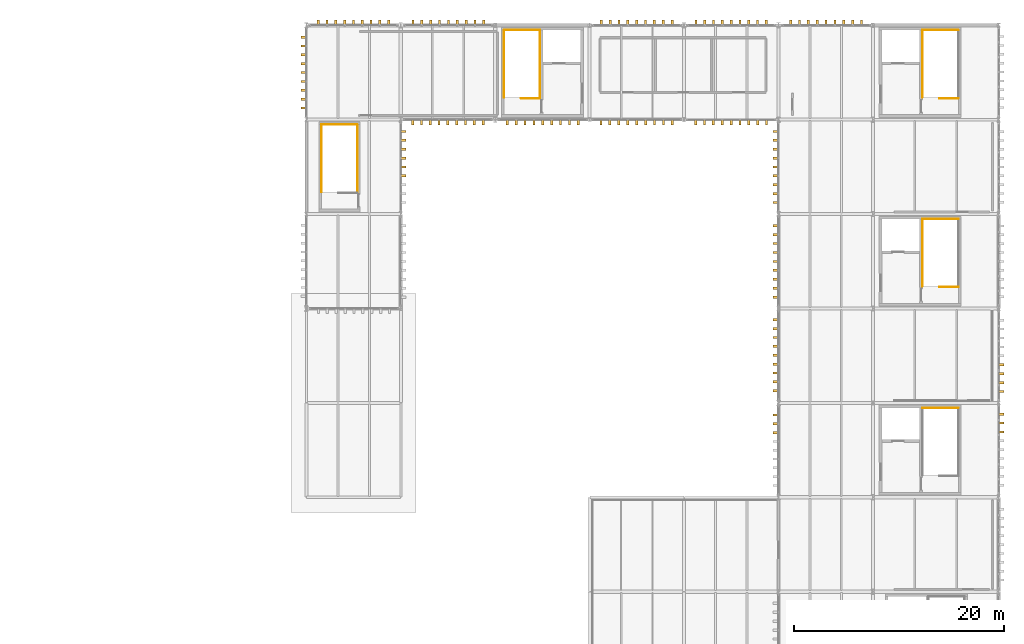
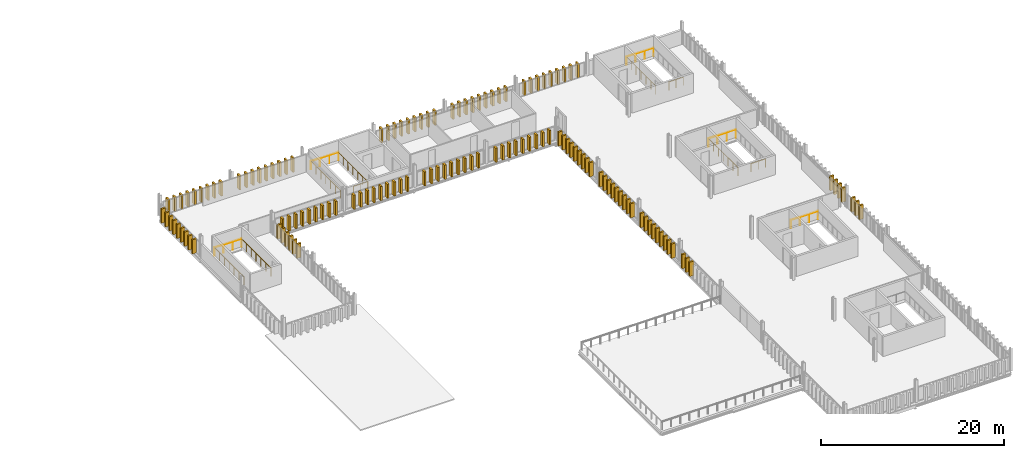
# One storey, part 57 of 58: 133 shading devices, 14 railings.
"""IFC4 building model written with IfcOpenShell, lengths in metres."""

import ifcopenshell
import ifcopenshell.guid

model = None  # the IFC model being written
_history = None  # IfcOwnerHistory: only IFC2X3 demands one
_inside = {}  # id of a spatial element -> (the spatial element, [elements in it])
_under = {}  # id of a project, library or spatial element -> (it, [spatial elements below it])
_declared = {}  # id of a project -> (the project, [libraries it declares])
_typed = {}  # id of a type object -> (the type object, [elements of that type])
_made_of = {}  # id of a material, layer set ... -> (it, [elements and type objects made of it])


def new_model(schema):
    """Start an empty IFC model of exactly this schema.

    Asked for "IFC4X3", IfcOpenShell would pick the latest addendum, in which some entities
    have other attributes; the version numbers below select the first issue.
    IFC2X3 requires an IfcOwnerHistory on every rooted entity: one is made here for all.
    """
    global model, _history
    if schema == "IFC4X3":
        model = ifcopenshell.file(schema_version=(4, 3, 0, 0))
    else:
        model = ifcopenshell.file(schema=schema)
    _inside.clear()
    _under.clear()
    _declared.clear()
    _typed.clear()
    _made_of.clear()
    _history = None
    if model.schema == "IFC2X3":
        org = make("IfcOrganization", Name="unknown")
        user = make(
            "IfcPersonAndOrganization",
            ThePerson=make("IfcPerson", FamilyName="unknown"),
            TheOrganization=org,
        )
        app = make(
            "IfcApplication",
            ApplicationDeveloper=org,
            Version="unknown",
            ApplicationFullName="unknown",
            ApplicationIdentifier="unknown",
        )
        _history = make(
            "IfcOwnerHistory",
            OwningUser=user,
            OwningApplication=app,
            ChangeAction="ADDED",
            CreationDate=0,
        )
    return model


def make(cls, **values):
    """One entity of the class cls with the attributes given. An attribute that is None is left unset."""
    return model.create_entity(
        cls, **{name: value for name, value in values.items() if value is not None}
    )


def rooted(cls, **values):
    """An entity with a GlobalId (a new one), such as an element, a storey or a relation."""
    return make(cls, GlobalId=ifcopenshell.guid.new(), OwnerHistory=_history, **values)


def si_unit(unit_type, name, prefix=None):
    """IfcSIUnit, for example si_unit("LENGTHUNIT", "METRE", prefix="MILLI")."""
    return make("IfcSIUnit", UnitType=unit_type, Prefix=prefix, Name=name)


def assignment(units):
    """IfcUnitAssignment: the units of a project."""
    return None if units is None else make("IfcUnitAssignment", Units=units)


def point(xyz):
    """IfcCartesianPoint."""
    return None if xyz is None else make("IfcCartesianPoint", Coordinates=xyz)


def direction(xyz):
    """IfcDirection."""
    return None if xyz is None else make("IfcDirection", DirectionRatios=xyz)


def frame(location, z_axis=None, x_axis=None):
    """IfcAxis2Placement3D, a coordinate frame: its origin and axes. An axis left out is left unset."""
    return make(
        "IfcAxis2Placement3D",
        Location=point(location),
        Axis=direction(z_axis),
        RefDirection=direction(x_axis),
    )


def frame_2d(location, x_axis=None):
    """IfcAxis2Placement2D, a coordinate frame in the plane: its origin and x axis."""
    return make(
        "IfcAxis2Placement2D", Location=point(location), RefDirection=direction(x_axis)
    )


def origin():
    """The frame at (0, 0, 0) with its axes left unset."""
    return frame((0.0, 0.0, 0.0))


def origin_2d():
    """The frame at (0, 0) in the plane with its x axis left unset."""
    return frame_2d((0.0, 0.0))


def place(relative_to, where):
    """IfcLocalPlacement: puts the frame where relative to a parent placement (None: the world)."""
    return make(
        "IfcLocalPlacement", PlacementRelTo=relative_to, RelativePlacement=where
    )


def context(
    kind, dimensions, precision=None, world=None, true_north=None, identifier=None
):
    """IfcGeometricRepresentationContext, for example the 3D "Model" context."""
    return make(
        "IfcGeometricRepresentationContext",
        ContextIdentifier=identifier,
        ContextType=kind,
        CoordinateSpaceDimension=dimensions,
        Precision=precision,
        WorldCoordinateSystem=world,
        TrueNorth=true_north,
    )


def subcontext(parent, identifier, kind, view, scale=None):
    """IfcGeometricRepresentationSubContext, for example "Body" below "Model"."""
    return make(
        "IfcGeometricRepresentationSubContext",
        ContextIdentifier=identifier,
        ContextType=kind,
        ParentContext=parent,
        TargetScale=scale,
        TargetView=view,
    )


def project(units=None, contexts=None):
    """IfcProject with its units and contexts."""
    return rooted(
        "IfcProject",
        Name="project",
        RepresentationContexts=contexts,
        UnitsInContext=assignment(units),
    )


def spatial(cls, under=None, at=None, **own):
    """A site, building, storey or space (cls), placed at a placement, below another one or the project."""
    s = rooted(cls, ObjectPlacement=at, **own)
    if under is not None:
        _under.setdefault(under.id(), (under, []))[1].append(s)
    return s


def profile(cls, at=None, kind="AREA", **sizes):
    """A parametric profile (cls). Its sizes go by their IFC names, for example OverallWidth=200.0."""
    return make(cls, ProfileType=kind, Position=at, **sizes)


def rectangle(**sizes):
    """IfcRectangleProfileDef."""
    return profile("IfcRectangleProfileDef", **sizes)


def circle(**sizes):
    """IfcCircleProfileDef."""
    return profile("IfcCircleProfileDef", **sizes)


def extrude(swept, where, along, depth):
    """IfcExtrudedAreaSolid: the profile swept, set in the frame where, extruded along a direction by depth."""
    return make(
        "IfcExtrudedAreaSolid",
        SweptArea=swept,
        Position=where,
        ExtrudedDirection=direction(along),
        Depth=depth,
    )


def shape(context_of_items, identifier, shape_type, items):
    """IfcShapeRepresentation: the items that make up one representation, for example the "Body"."""
    return make(
        "IfcShapeRepresentation",
        ContextOfItems=context_of_items,
        RepresentationIdentifier=identifier,
        RepresentationType=shape_type,
        Items=items,
    )


def material(Name=None, Category=None):
    """IfcMaterial."""
    return make("IfcMaterial", Name=Name, Category=Category)


def made_of(thing, what):
    """Note that an element or type object is made of a material, layer set ...; save() writes the relation."""
    if what is not None:
        _made_of.setdefault(what.id(), (what, []))[1].append(thing)
    return thing


def type_object(cls, material=None, **own):
    """A type object (cls), such as IfcWallType, which elements share."""
    return made_of(rooted(cls, **own), material)


def element(
    cls,
    number,
    at=None,
    inside=None,
    cuts=None,
    type_object=None,
    material=None,
    context=None,
    identifier="Body",
    shape_type=None,
    held_by="IfcProductDefinitionShape",
    body=None,
    shapes=None,
    **own,
):
    """One element of the class cls, such as IfcWall. Its Tag is "e" and its number.

    at: its placement. inside: the storey or other place that contains it. cuts: it is an
    opening in that element (IfcRelVoidsElement). A single representation is given by context,
    identifier, shape_type and body (its items); several are given by shapes. held_by: the class
    of the entity that holds the representations. save() writes the other relations.
    """
    e = rooted(cls, Tag="e%d" % number, ObjectPlacement=at, **own)
    if body is not None:
        shapes = [shape(context, identifier, shape_type, body)]
    if shapes is not None:
        e.Representation = make(held_by, Representations=shapes)
    if inside is not None:
        _inside.setdefault(inside.id(), (inside, []))[1].append(e)
    if cuts is not None:
        rooted(
            "IfcRelVoidsElement", RelatingBuildingElement=cuts, RelatedOpeningElement=e
        )
    if type_object is not None:
        _typed.setdefault(type_object.id(), (type_object, []))[1].append(e)
    return made_of(e, material)


def aggregate(whole, parts):
    """IfcRelAggregates: a whole, such as a stair, and the parts it consists of."""
    return rooted("IfcRelAggregates", RelatingObject=whole, RelatedObjects=parts)


def save(model, path):
    """Write the relations noted so far, then the file.

    IfcRelAggregates (storeys below a building ...), IfcRelContainedInSpatialStructure (elements
    in a storey), IfcRelDefinesByType, IfcRelAssociatesMaterial and IfcRelDeclares: one each for
    every whole, place, type object, material and project.
    """
    for whole, parts in _under.values():
        aggregate(whole, parts)
    for where, things in _inside.values():
        rooted(
            "IfcRelContainedInSpatialStructure",
            RelatedElements=things,
            RelatingStructure=where,
        )
    for kind, things in _typed.values():
        rooted("IfcRelDefinesByType", RelatedObjects=things, RelatingType=kind)
    for what, things in _made_of.values():
        rooted("IfcRelAssociatesMaterial", RelatedObjects=things, RelatingMaterial=what)
    for by, libraries in _declared.values():
        rooted("IfcRelDeclares", RelatingContext=by, RelatedDefinitions=libraries)
    model.write(path)


model = new_model("IFC4")

# Units and contexts
model_context = context("Model", 3, precision=1e-05, world=origin(), true_north=direction((0.0, 1.0)))
body_context = subcontext(model_context, "Body", "Model", "MODEL_VIEW")
ifc_project = project(units=[si_unit("LENGTHUNIT", "METRE"), si_unit("AREAUNIT", "SQUARE_METRE"), si_unit("VOLUMEUNIT", "CUBIC_METRE"), si_unit("PLANEANGLEUNIT", "RADIAN"), si_unit("MASSUNIT", "GRAM", prefix="KILO")], contexts=[model_context])

# Site, building, storey
site_placement = place(None, origin())
site = spatial("IfcSite", under=ifc_project, at=site_placement, CompositionType="ELEMENT")
building_placement = place(site_placement, origin())
building = spatial("IfcBuilding", under=site, at=building_placement, Name="Barlavento Convention Centre", CompositionType="ELEMENT")
storey_placement = place(building_placement, frame((0.0, 0.0, 26.800048828125)))
storey = spatial("IfcBuildingStorey", under=building, at=storey_placement, Name="L05", CompositionType="ELEMENT", Elevation=26.800048828125)

# Railings
ifc_material_1 = material(Name="Stainless steel and laminated glass balustrade", Category="steel")
railing_type = type_object("IfcRailingType", Name="ARC-RAL-BAL-1100", PredefinedType="BALUSTRADE", material=ifc_material_1)
railing_1_placement = place(storey_placement, frame((188.14990234375, 62.530029296875, 0.0)))
element("IfcRailing", 1, at=railing_1_placement, inside=storey, type_object=railing_type, Name="L05 stairwell perimeter guard GR01", PredefinedType="BALUSTRADE", context=body_context, shape_type="SweptSolid", body=[
    extrude(circle(Radius=0.02392578125, at=origin_2d()), frame((0.0, 0.0, 1.076171875), z_axis=(-1.0, 0.0, 0.0), x_axis=(0.0, -1.0, 0.0)), (0.0, 0.0, 1.0), 3.43994140625),
    extrude(circle(Radius=0.02099609375, at=origin_2d()), origin(), (0.0, 0.0, 1.0), 1.052001953125),
    extrude(circle(Radius=0.02099609375, at=origin_2d()), frame((-1.146728515625, 0.0, 0.0)), (0.0, 0.0, 1.0), 1.052001953125),
    extrude(circle(Radius=0.02099609375, at=origin_2d()), frame((-2.293212890625, 0.0, 0.0)), (0.0, 0.0, 1.0), 1.052001953125),
    extrude(circle(Radius=0.02099609375, at=origin_2d()), frame((-3.43994140625, 0.0, 0.0)), (0.0, 0.0, 1.0), 1.052001953125),
])
railing_2_placement = place(storey_placement, frame((188.14990234375, 74.0400390625, 0.0)))
element("IfcRailing", 2, at=railing_2_placement, inside=storey, type_object=railing_type, Name="L05 ST07 top well guard 1", PredefinedType="BALUSTRADE", context=body_context, shape_type="SweptSolid", body=[
    extrude(circle(Radius=0.02392578125, at=origin_2d()), frame((0.0, 0.0, 1.076171875), z_axis=(-1.0, 0.0, 0.0), x_axis=(0.0, -1.0, 0.0)), (0.0, 0.0, 1.0), 1.81982421875),
    extrude(circle(Radius=0.02099609375, at=origin_2d()), origin(), (0.0, 0.0, 1.0), 1.052001953125),
    extrude(circle(Radius=0.02099609375, at=origin_2d()), frame((-0.909912109375, 0.0, 0.0)), (0.0, 0.0, 1.0), 1.052001953125),
    extrude(circle(Radius=0.02099609375, at=origin_2d()), frame((-1.81982421875, 0.0, 0.0)), (0.0, 0.0, 1.0), 1.052001953125),
])
railing_3_placement = place(storey_placement, frame((188.14990234375, 80.530029296875, 0.0)))
element("IfcRailing", 3, at=railing_3_placement, inside=storey, type_object=railing_type, Name="L05 stairwell perimeter guard GR01", PredefinedType="BALUSTRADE", context=body_context, shape_type="SweptSolid", body=[
    extrude(circle(Radius=0.02392578125, at=origin_2d()), frame((0.0, 0.0, 1.076171875), z_axis=(-1.0, 0.0, 0.0), x_axis=(0.0, -1.0, 0.0)), (0.0, 0.0, 1.0), 3.43994140625),
    extrude(circle(Radius=0.02099609375, at=origin_2d()), origin(), (0.0, 0.0, 1.0), 1.052001953125),
    extrude(circle(Radius=0.02099609375, at=origin_2d()), frame((-1.146728515625, 0.0, 0.0)), (0.0, 0.0, 1.0), 1.052001953125),
    extrude(circle(Radius=0.02099609375, at=origin_2d()), frame((-2.293212890625, 0.0, 0.0)), (0.0, 0.0, 1.0), 1.052001953125),
    extrude(circle(Radius=0.02099609375, at=origin_2d()), frame((-3.43994140625, 0.0, 0.0)), (0.0, 0.0, 1.0), 1.052001953125),
])
railing_4_placement = place(storey_placement, frame((184.7099609375, 80.530029296875, 0.0)))
element("IfcRailing", 4, at=railing_4_placement, inside=storey, type_object=railing_type, Name="L05 stairwell perimeter guard GR01", PredefinedType="BALUSTRADE", context=body_context, shape_type="SweptSolid", body=[
    extrude(circle(Radius=0.02392578125, at=origin_2d()), frame((0.0, 0.0, 1.076171875), z_axis=(0.0, -1.0, 0.0), x_axis=(1.0, 0.0, 0.0)), (0.0, 0.0, 1.0), 6.4150390625),
    extrude(circle(Radius=0.02099609375, at=origin_2d()), origin(), (0.0, 0.0, 1.0), 1.052001953125),
    extrude(circle(Radius=0.02099609375, at=origin_2d()), frame((0.0, -1.069091796875, 0.0)), (0.0, 0.0, 1.0), 1.052001953125),
    extrude(circle(Radius=0.02099609375, at=origin_2d()), frame((0.0, -2.138427734375, 0.0)), (0.0, 0.0, 1.0), 1.052001953125),
    extrude(circle(Radius=0.02099609375, at=origin_2d()), frame((0.0, -3.20751953125, 0.0)), (0.0, 0.0, 1.0), 1.052001953125),
    extrude(circle(Radius=0.02099609375, at=origin_2d()), frame((0.0, -4.276611328125, 0.0)), (0.0, 0.0, 1.0), 1.052001953125),
    extrude(circle(Radius=0.02099609375, at=origin_2d()), frame((0.0, -5.345947265625, 0.0)), (0.0, 0.0, 1.0), 1.052001953125),
    extrude(circle(Radius=0.02099609375, at=origin_2d()), frame((0.0, -6.4150390625, 0.0)), (0.0, 0.0, 1.0), 1.052001953125),
])
railing_5_placement = place(storey_placement, frame((188.14990234375, 92.0400390625, 0.0)))
element("IfcRailing", 5, at=railing_5_placement, inside=storey, type_object=railing_type, Name="L05 ST08 top well guard 1", PredefinedType="BALUSTRADE", context=body_context, shape_type="SweptSolid", body=[
    extrude(circle(Radius=0.02392578125, at=origin_2d()), frame((0.0, 0.0, 1.076171875), z_axis=(-1.0, 0.0, 0.0), x_axis=(0.0, -1.0, 0.0)), (0.0, 0.0, 1.0), 1.81982421875),
    extrude(circle(Radius=0.02099609375, at=origin_2d()), origin(), (0.0, 0.0, 1.0), 1.052001953125),
    extrude(circle(Radius=0.02099609375, at=origin_2d()), frame((-0.909912109375, 0.0, 0.0)), (0.0, 0.0, 1.0), 1.052001953125),
    extrude(circle(Radius=0.02099609375, at=origin_2d()), frame((-1.81982421875, 0.0, 0.0)), (0.0, 0.0, 1.0), 1.052001953125),
])
railing_6_placement = place(storey_placement, frame((188.14990234375, 98.530029296875, 0.0)))
element("IfcRailing", 6, at=railing_6_placement, inside=storey, type_object=railing_type, Name="L05 stairwell perimeter guard GR01", PredefinedType="BALUSTRADE", context=body_context, shape_type="SweptSolid", body=[
    extrude(circle(Radius=0.02392578125, at=origin_2d()), frame((0.0, 0.0, 1.076171875), z_axis=(-1.0, 0.0, 0.0), x_axis=(0.0, -1.0, 0.0)), (0.0, 0.0, 1.0), 3.43994140625),
    extrude(circle(Radius=0.02099609375, at=origin_2d()), origin(), (0.0, 0.0, 1.0), 1.052001953125),
    extrude(circle(Radius=0.02099609375, at=origin_2d()), frame((-1.146728515625, 0.0, 0.0)), (0.0, 0.0, 1.0), 1.052001953125),
    extrude(circle(Radius=0.02099609375, at=origin_2d()), frame((-2.293212890625, 0.0, 0.0)), (0.0, 0.0, 1.0), 1.052001953125),
    extrude(circle(Radius=0.02099609375, at=origin_2d()), frame((-3.43994140625, 0.0, 0.0)), (0.0, 0.0, 1.0), 1.052001953125),
])
railing_7_placement = place(storey_placement, frame((184.7099609375, 98.530029296875, 0.0)))
element("IfcRailing", 7, at=railing_7_placement, inside=storey, type_object=railing_type, Name="L05 stairwell perimeter guard GR01", PredefinedType="BALUSTRADE", context=body_context, shape_type="SweptSolid", body=[
    extrude(circle(Radius=0.02392578125, at=origin_2d()), frame((0.0, 0.0, 1.076171875), z_axis=(0.0, -1.0, 0.0), x_axis=(1.0, 0.0, 0.0)), (0.0, 0.0, 1.0), 6.4150390625),
    extrude(circle(Radius=0.02099609375, at=origin_2d()), origin(), (0.0, 0.0, 1.0), 1.052001953125),
    extrude(circle(Radius=0.02099609375, at=origin_2d()), frame((0.0, -1.069091796875, 0.0)), (0.0, 0.0, 1.0), 1.052001953125),
    extrude(circle(Radius=0.02099609375, at=origin_2d()), frame((0.0, -2.138427734375, 0.0)), (0.0, 0.0, 1.0), 1.052001953125),
    extrude(circle(Radius=0.02099609375, at=origin_2d()), frame((0.0, -3.20751953125, 0.0)), (0.0, 0.0, 1.0), 1.052001953125),
    extrude(circle(Radius=0.02099609375, at=origin_2d()), frame((0.0, -4.276611328125, 0.0)), (0.0, 0.0, 1.0), 1.052001953125),
    extrude(circle(Radius=0.02099609375, at=origin_2d()), frame((0.0, -5.345947265625, 0.0)), (0.0, 0.0, 1.0), 1.052001953125),
    extrude(circle(Radius=0.02099609375, at=origin_2d()), frame((0.0, -6.4150390625, 0.0)), (0.0, 0.0, 1.0), 1.052001953125),
])
railing_8_placement = place(storey_placement, frame((148.2900390625, 92.0400390625, 0.0)))
element("IfcRailing", 8, at=railing_8_placement, inside=storey, type_object=railing_type, Name="L05 ST09 top well guard 1", PredefinedType="BALUSTRADE", context=body_context, shape_type="SweptSolid", body=[
    extrude(circle(Radius=0.02392578125, at=origin_2d()), frame((0.0, 0.0, 1.076171875), z_axis=(-1.0, 0.0, 0.0), x_axis=(0.0, -1.0, 0.0)), (0.0, 0.0, 1.0), 1.820068359375),
    extrude(circle(Radius=0.02099609375, at=origin_2d()), origin(), (0.0, 0.0, 1.0), 1.052001953125),
    extrude(circle(Radius=0.02099609375, at=origin_2d()), frame((-0.91015625, 0.0, 0.0)), (0.0, 0.0, 1.0), 1.052001953125),
    extrude(circle(Radius=0.02099609375, at=origin_2d()), frame((-1.820068359375, 0.0, 0.0)), (0.0, 0.0, 1.0), 1.052001953125),
])
railing_9_placement = place(storey_placement, frame((148.2900390625, 92.114990234375, 0.0)))
element("IfcRailing", 9, at=railing_9_placement, inside=storey, type_object=railing_type, Name="L05 stairwell perimeter guard GR01", PredefinedType="BALUSTRADE", context=body_context, shape_type="SweptSolid", body=[
    extrude(circle(Radius=0.02392578125, at=origin_2d()), frame((0.0, 0.0, 1.076171875), z_axis=(0.0, 1.0, 0.0), x_axis=(-1.0, 0.0, 0.0)), (0.0, 0.0, 1.0), 6.4150390625),
    extrude(circle(Radius=0.02099609375, at=origin_2d()), origin(), (0.0, 0.0, 1.0), 1.052001953125),
    extrude(circle(Radius=0.02099609375, at=origin_2d()), frame((0.0, 1.069091796875, 0.0)), (0.0, 0.0, 1.0), 1.052001953125),
    extrude(circle(Radius=0.02099609375, at=origin_2d()), frame((0.0, 2.138427734375, 0.0)), (0.0, 0.0, 1.0), 1.052001953125),
    extrude(circle(Radius=0.02099609375, at=origin_2d()), frame((0.0, 3.20751953125, 0.0)), (0.0, 0.0, 1.0), 1.052001953125),
    extrude(circle(Radius=0.02099609375, at=origin_2d()), frame((0.0, 4.276611328125, 0.0)), (0.0, 0.0, 1.0), 1.052001953125),
    extrude(circle(Radius=0.02099609375, at=origin_2d()), frame((0.0, 5.345947265625, 0.0)), (0.0, 0.0, 1.0), 1.052001953125),
    extrude(circle(Radius=0.02099609375, at=origin_2d()), frame((0.0, 6.4150390625, 0.0)), (0.0, 0.0, 1.0), 1.052001953125),
])
railing_10_placement = place(storey_placement, frame((148.2900390625, 98.530029296875, 0.0)))
element("IfcRailing", 10, at=railing_10_placement, inside=storey, type_object=railing_type, Name="L05 stairwell perimeter guard GR01", PredefinedType="BALUSTRADE", context=body_context, shape_type="SweptSolid", body=[
    extrude(circle(Radius=0.02392578125, at=origin_2d()), frame((0.0, 0.0, 1.076171875), z_axis=(-1.0, 0.0, 0.0), x_axis=(0.0, -1.0, 0.0)), (0.0, 0.0, 1.0), 3.43994140625),
    extrude(circle(Radius=0.02099609375, at=origin_2d()), origin(), (0.0, 0.0, 1.0), 1.052001953125),
    extrude(circle(Radius=0.02099609375, at=origin_2d()), frame((-1.146728515625, 0.0, 0.0)), (0.0, 0.0, 1.0), 1.052001953125),
    extrude(circle(Radius=0.02099609375, at=origin_2d()), frame((-2.293212890625, 0.0, 0.0)), (0.0, 0.0, 1.0), 1.052001953125),
    extrude(circle(Radius=0.02099609375, at=origin_2d()), frame((-3.43994140625, 0.0, 0.0)), (0.0, 0.0, 1.0), 1.052001953125),
])
railing_11_placement = place(storey_placement, frame((144.85009765625, 98.530029296875, 0.0)))
element("IfcRailing", 11, at=railing_11_placement, inside=storey, type_object=railing_type, Name="L05 stairwell perimeter guard GR01", PredefinedType="BALUSTRADE", context=body_context, shape_type="SweptSolid", body=[
    extrude(circle(Radius=0.02392578125, at=origin_2d()), frame((0.0, 0.0, 1.076171875), z_axis=(0.0, -1.0, 0.0), x_axis=(1.0, 0.0, 0.0)), (0.0, 0.0, 1.0), 6.4150390625),
    extrude(circle(Radius=0.02099609375, at=origin_2d()), origin(), (0.0, 0.0, 1.0), 1.052001953125),
    extrude(circle(Radius=0.02099609375, at=origin_2d()), frame((0.0, -1.069091796875, 0.0)), (0.0, 0.0, 1.0), 1.052001953125),
    extrude(circle(Radius=0.02099609375, at=origin_2d()), frame((0.0, -2.138427734375, 0.0)), (0.0, 0.0, 1.0), 1.052001953125),
    extrude(circle(Radius=0.02099609375, at=origin_2d()), frame((0.0, -3.20751953125, 0.0)), (0.0, 0.0, 1.0), 1.052001953125),
    extrude(circle(Radius=0.02099609375, at=origin_2d()), frame((0.0, -4.276611328125, 0.0)), (0.0, 0.0, 1.0), 1.052001953125),
    extrude(circle(Radius=0.02099609375, at=origin_2d()), frame((0.0, -5.345947265625, 0.0)), (0.0, 0.0, 1.0), 1.052001953125),
    extrude(circle(Radius=0.02099609375, at=origin_2d()), frame((0.0, -6.4150390625, 0.0)), (0.0, 0.0, 1.0), 1.052001953125),
])
railing_12_placement = place(storey_placement, frame((130.85009765625, 83.094970703125, 0.0)))
element("IfcRailing", 12, at=railing_12_placement, inside=storey, type_object=railing_type, Name="L05 stairwell perimeter guard GR01", PredefinedType="BALUSTRADE", context=body_context, shape_type="SweptSolid", body=[
    extrude(circle(Radius=0.02392578125, at=origin_2d()), frame((0.0, 0.0, 1.076171875), z_axis=(0.0, 1.0, 0.0), x_axis=(-1.0, 0.0, 0.0)), (0.0, 0.0, 1.0), 6.43505859375),
    extrude(circle(Radius=0.02099609375, at=origin_2d()), origin(), (0.0, 0.0, 1.0), 1.052001953125),
    extrude(circle(Radius=0.02099609375, at=origin_2d()), frame((0.0, 1.072509765625, 0.0)), (0.0, 0.0, 1.0), 1.052001953125),
    extrude(circle(Radius=0.02099609375, at=origin_2d()), frame((0.0, 2.14501953125, 0.0)), (0.0, 0.0, 1.0), 1.052001953125),
    extrude(circle(Radius=0.02099609375, at=origin_2d()), frame((0.0, 3.217529296875, 0.0)), (0.0, 0.0, 1.0), 1.052001953125),
    extrude(circle(Radius=0.02099609375, at=origin_2d()), frame((0.0, 4.2900390625, 0.0)), (0.0, 0.0, 1.0), 1.052001953125),
    extrude(circle(Radius=0.02099609375, at=origin_2d()), frame((0.0, 5.362548828125, 0.0)), (0.0, 0.0, 1.0), 1.052001953125),
    extrude(circle(Radius=0.02099609375, at=origin_2d()), frame((0.0, 6.43505859375, 0.0)), (0.0, 0.0, 1.0), 1.052001953125),
])
railing_13_placement = place(storey_placement, frame((130.85009765625, 89.530029296875, 0.0)))
element("IfcRailing", 13, at=railing_13_placement, inside=storey, type_object=railing_type, Name="L05 stairwell perimeter guard GR01", PredefinedType="BALUSTRADE", context=body_context, shape_type="SweptSolid", body=[
    extrude(circle(Radius=0.02392578125, at=origin_2d()), frame((0.0, 0.0, 1.076171875), z_axis=(-1.0, 0.0, 0.0), x_axis=(0.0, -1.0, 0.0)), (0.0, 0.0, 1.0), 3.400146484375),
    extrude(circle(Radius=0.02099609375, at=origin_2d()), origin(), (0.0, 0.0, 1.0), 1.052001953125),
    extrude(circle(Radius=0.02099609375, at=origin_2d()), frame((-1.13330078125, 0.0, 0.0)), (0.0, 0.0, 1.0), 1.052001953125),
    extrude(circle(Radius=0.02099609375, at=origin_2d()), frame((-2.266845703125, 0.0, 0.0)), (0.0, 0.0, 1.0), 1.052001953125),
    extrude(circle(Radius=0.02099609375, at=origin_2d()), frame((-3.400146484375, 0.0, 0.0)), (0.0, 0.0, 1.0), 1.052001953125),
])
railing_14_placement = place(storey_placement, frame((127.449951171875, 89.530029296875, 0.0)))
element("IfcRailing", 14, at=railing_14_placement, inside=storey, type_object=railing_type, Name="L05 stairwell perimeter guard GR01", PredefinedType="BALUSTRADE", context=body_context, shape_type="SweptSolid", body=[
    extrude(circle(Radius=0.02392578125, at=origin_2d()), frame((0.0, 0.0, 1.076171875), z_axis=(0.0, -1.0, 0.0), x_axis=(1.0, 0.0, 0.0)), (0.0, 0.0, 1.0), 6.43505859375),
    extrude(circle(Radius=0.02099609375, at=origin_2d()), origin(), (0.0, 0.0, 1.0), 1.052001953125),
    extrude(circle(Radius=0.02099609375, at=origin_2d()), frame((0.0, -1.072509765625, 0.0)), (0.0, 0.0, 1.0), 1.052001953125),
    extrude(circle(Radius=0.02099609375, at=origin_2d()), frame((0.0, -2.14501953125, 0.0)), (0.0, 0.0, 1.0), 1.052001953125),
    extrude(circle(Radius=0.02099609375, at=origin_2d()), frame((0.0, -3.217529296875, 0.0)), (0.0, 0.0, 1.0), 1.052001953125),
    extrude(circle(Radius=0.02099609375, at=origin_2d()), frame((0.0, -4.2900390625, 0.0)), (0.0, 0.0, 1.0), 1.052001953125),
    extrude(circle(Radius=0.02099609375, at=origin_2d()), frame((0.0, -5.362548828125, 0.0)), (0.0, 0.0, 1.0), 1.052001953125),
    extrude(circle(Radius=0.02099609375, at=origin_2d()), frame((0.0, -6.43505859375, 0.0)), (0.0, 0.0, 1.0), 1.052001953125),
])

# Shading devices
ifc_material_2 = material(Name="PVDF white extruded aluminium", Category="aluminium")
shading_device_type = type_object("IfcShadingDeviceType", Name="ARC-SHD-FIN-480", PredefinedType="USERDEFINED", material=ifc_material_2)
for number, where, z_axis, x_axis, name in (
    (15, (192.239990234375, 60.23193359375, 0.0), (0.0, 0.0, 1.0), (0.0, 1.0, 0.0), "White vertical solar shading fin VF01"),
    (16, (192.239990234375, 61.077880859375, 0.0), (0.0, 0.0, 1.0), (0.0, 1.0, 0.0), "White vertical solar shading fin VF01"),
    (17, (192.239990234375, 61.924072265625, 0.0), (0.0, 0.0, 1.0), (0.0, 1.0, 0.0), "White vertical solar shading fin VF01"),
    (18, (192.239990234375, 64.0810546875, 0.0), (0.0, 0.0, 1.0), (0.0, 1.0, 0.0), "White vertical solar shading fin VF01"),
    (19, (192.239990234375, 64.931884765625, 0.0), (0.0, 0.0, 1.0), (0.0, 1.0, 0.0), "White vertical solar shading fin VF01"),
    (20, (192.239990234375, 65.782958984375, 0.0), (0.0, 0.0, 1.0), (0.0, 1.0, 0.0), "White vertical solar shading fin VF01"),
    (21, (192.239990234375, 66.634033203125, 0.0), (0.0, 0.0, 1.0), (0.0, 1.0, 0.0), "White vertical solar shading fin VF01"),
    (22, (170.760009765625, 60.16845703125, 0.0), (0.0, 0.0, 1.0), (0.0, 1.0, 0.0), "White vertical solar shading fin VF01"),
    (23, (170.760009765625, 61.009033203125, 0.0), (0.0, 0.0, 1.0), (0.0, 1.0, 0.0), "White vertical solar shading fin VF01"),
    (24, (170.760009765625, 61.849609375, 0.0), (0.0, 0.0, 1.0), (0.0, 1.0, 0.0), "White vertical solar shading fin VF01"),
    (25, (170.760009765625, 64.156005859375, 0.0), (0.0, 0.0, 1.0), (0.0, 1.0, 0.0), "White vertical solar shading fin VF01"),
    (26, (170.760009765625, 65.001953125, 0.0), (0.0, 0.0, 1.0), (0.0, 1.0, 0.0), "White vertical solar shading fin VF01"),
    (27, (170.760009765625, 65.847900390625, 0.0), (0.0, 0.0, 1.0), (0.0, 1.0, 0.0), "White vertical solar shading fin VF01"),
    (28, (170.760009765625, 66.694091796875, 0.0), (0.0, 0.0, 1.0), (0.0, 1.0, 0.0), "White vertical solar shading fin VF01"),
    (29, (170.760009765625, 67.5400390625, 0.0), (0.0, 0.0, 1.0), (0.0, 1.0, 0.0), "White vertical solar shading fin VF01"),
    (30, (170.760009765625, 68.385986328125, 0.0), (0.0, 0.0, 1.0), (0.0, 1.0, 0.0), "White vertical solar shading fin VF01"),
    (31, (170.760009765625, 69.23193359375, 0.0), (0.0, 0.0, 1.0), (0.0, 1.0, 0.0), "White vertical solar shading fin VF01"),
    (32, (170.760009765625, 70.077880859375, 0.0), (0.0, 0.0, 1.0), (0.0, 1.0, 0.0), "White vertical solar shading fin VF01"),
    (33, (170.760009765625, 70.924072265625, 0.0), (0.0, 0.0, 1.0), (0.0, 1.0, 0.0), "White vertical solar shading fin VF01"),
    (34, (170.760009765625, 73.0810546875, 0.0), (0.0, 0.0, 1.0), (0.0, 1.0, 0.0), "White vertical solar shading fin VF01"),
    (35, (170.760009765625, 73.931884765625, 0.0), (0.0, 0.0, 1.0), (0.0, 1.0, 0.0), "White vertical solar shading fin VF01"),
    (36, (170.760009765625, 74.782958984375, 0.0), (0.0, 0.0, 1.0), (0.0, 1.0, 0.0), "White vertical solar shading fin VF01"),
    (37, (170.760009765625, 75.634033203125, 0.0), (0.0, 0.0, 1.0), (0.0, 1.0, 0.0), "White vertical solar shading fin VF01"),
    (38, (170.760009765625, 76.485107421875, 0.0), (0.0, 0.0, 1.0), (0.0, 1.0, 0.0), "White vertical solar shading fin VF01"),
    (39, (170.760009765625, 77.3359375, 0.0), (0.0, 0.0, 1.0), (0.0, 1.0, 0.0), "White vertical solar shading fin VF01"),
    (40, (170.760009765625, 78.18701171875, 0.0), (0.0, 0.0, 1.0), (0.0, 1.0, 0.0), "White vertical solar shading fin VF01"),
    (41, (170.760009765625, 79.0380859375, 0.0), (0.0, 0.0, 1.0), (0.0, 1.0, 0.0), "White vertical solar shading fin VF01"),
    (42, (170.760009765625, 79.888916015625, 0.0), (0.0, 0.0, 1.0), (0.0, 1.0, 0.0), "White vertical solar shading fin VF01"),
    (43, (170.760009765625, 82.10546875, 0.0), (0.0, 0.0, 1.0), (0.0, 1.0, 0.0), "White vertical solar shading fin VF01"),
    (44, (170.760009765625, 82.950927734375, 0.0), (0.0, 0.0, 1.0), (0.0, 1.0, 0.0), "White vertical solar shading fin VF01"),
    (45, (170.760009765625, 83.79638671875, 0.0), (0.0, 0.0, 1.0), (0.0, 1.0, 0.0), "White vertical solar shading fin VF01"),
    (46, (170.760009765625, 84.64208984375, 0.0), (0.0, 0.0, 1.0), (0.0, 1.0, 0.0), "White vertical solar shading fin VF01"),
    (47, (170.760009765625, 85.487548828125, 0.0), (0.0, 0.0, 1.0), (0.0, 1.0, 0.0), "White vertical solar shading fin VF01"),
    (48, (170.760009765625, 86.3330078125, 0.0), (0.0, 0.0, 1.0), (0.0, 1.0, 0.0), "White vertical solar shading fin VF01"),
    (49, (170.760009765625, 87.178466796875, 0.0), (0.0, 0.0, 1.0), (0.0, 1.0, 0.0), "White vertical solar shading fin VF01"),
    (50, (170.760009765625, 88.02392578125, 0.0), (0.0, 0.0, 1.0), (0.0, 1.0, 0.0), "White vertical solar shading fin VF01"),
    (51, (170.760009765625, 88.869384765625, 0.0), (0.0, 0.0, 1.0), (0.0, 1.0, 0.0), "White vertical solar shading fin VF01"),
    (52, (136.12548828125, 89.760009765625, 0.0), (0.0, 0.0, 1.0), (1.0, 0.0, 0.0), "White vertical solar shading fin VF01"),
    (53, (136.966064453125, 89.760009765625, 0.0), (0.0, 0.0, 1.0), (1.0, 0.0, 0.0), "White vertical solar shading fin VF01"),
    (54, (137.806396484375, 89.760009765625, 0.0), (0.0, 0.0, 1.0), (1.0, 0.0, 0.0), "White vertical solar shading fin VF01"),
    (55, (138.64697265625, 89.760009765625, 0.0), (0.0, 0.0, 1.0), (1.0, 0.0, 0.0), "White vertical solar shading fin VF01"),
    (56, (139.487548828125, 89.760009765625, 0.0), (0.0, 0.0, 1.0), (1.0, 0.0, 0.0), "White vertical solar shading fin VF01"),
    (57, (140.327880859375, 89.760009765625, 0.0), (0.0, 0.0, 1.0), (1.0, 0.0, 0.0), "White vertical solar shading fin VF01"),
    (58, (141.16845703125, 89.760009765625, 0.0), (0.0, 0.0, 1.0), (1.0, 0.0, 0.0), "White vertical solar shading fin VF01"),
    (59, (142.009033203125, 89.760009765625, 0.0), (0.0, 0.0, 1.0), (1.0, 0.0, 0.0), "White vertical solar shading fin VF01"),
    (60, (142.849609375, 89.760009765625, 0.0), (0.0, 0.0, 1.0), (1.0, 0.0, 0.0), "White vertical solar shading fin VF01"),
    (61, (145.156005859375, 89.760009765625, 0.0), (0.0, 0.0, 1.0), (1.0, 0.0, 0.0), "White vertical solar shading fin VF01"),
    (62, (146.001953125, 89.760009765625, 0.0), (0.0, 0.0, 1.0), (1.0, 0.0, 0.0), "White vertical solar shading fin VF01"),
    (63, (146.847900390625, 89.760009765625, 0.0), (0.0, 0.0, 1.0), (1.0, 0.0, 0.0), "White vertical solar shading fin VF01"),
    (64, (147.694091796875, 89.760009765625, 0.0), (0.0, 0.0, 1.0), (1.0, 0.0, 0.0), "White vertical solar shading fin VF01"),
    (65, (148.5400390625, 89.760009765625, 0.0), (0.0, 0.0, 1.0), (1.0, 0.0, 0.0), "White vertical solar shading fin VF01"),
    (66, (149.385986328125, 89.760009765625, 0.0), (0.0, 0.0, 1.0), (1.0, 0.0, 0.0), "White vertical solar shading fin VF01"),
    (67, (150.23193359375, 89.760009765625, 0.0), (0.0, 0.0, 1.0), (1.0, 0.0, 0.0), "White vertical solar shading fin VF01"),
    (68, (151.077880859375, 89.760009765625, 0.0), (0.0, 0.0, 1.0), (1.0, 0.0, 0.0), "White vertical solar shading fin VF01"),
    (69, (151.924072265625, 89.760009765625, 0.0), (0.0, 0.0, 1.0), (1.0, 0.0, 0.0), "White vertical solar shading fin VF01"),
    (70, (154.0810546875, 89.760009765625, 0.0), (0.0, 0.0, 1.0), (1.0, 0.0, 0.0), "White vertical solar shading fin VF01"),
    (71, (154.931884765625, 89.760009765625, 0.0), (0.0, 0.0, 1.0), (1.0, 0.0, 0.0), "White vertical solar shading fin VF01"),
    (72, (155.782958984375, 89.760009765625, 0.0), (0.0, 0.0, 1.0), (1.0, 0.0, 0.0), "White vertical solar shading fin VF01"),
    (73, (156.634033203125, 89.760009765625, 0.0), (0.0, 0.0, 1.0), (1.0, 0.0, 0.0), "White vertical solar shading fin VF01"),
    (74, (157.485107421875, 89.760009765625, 0.0), (0.0, 0.0, 1.0), (1.0, 0.0, 0.0), "White vertical solar shading fin VF01"),
    (75, (158.3359375, 89.760009765625, 0.0), (0.0, 0.0, 1.0), (1.0, 0.0, 0.0), "White vertical solar shading fin VF01"),
    (76, (159.18701171875, 89.760009765625, 0.0), (0.0, 0.0, 1.0), (1.0, 0.0, 0.0), "White vertical solar shading fin VF01"),
    (77, (160.0380859375, 89.760009765625, 0.0), (0.0, 0.0, 1.0), (1.0, 0.0, 0.0), "White vertical solar shading fin VF01"),
    (78, (160.888916015625, 89.760009765625, 0.0), (0.0, 0.0, 1.0), (1.0, 0.0, 0.0), "White vertical solar shading fin VF01"),
    (79, (163.10546875, 89.760009765625, 0.0), (0.0, 0.0, 1.0), (1.0, 0.0, 0.0), "White vertical solar shading fin VF01"),
    (80, (163.950927734375, 89.760009765625, 0.0), (0.0, 0.0, 1.0), (1.0, 0.0, 0.0), "White vertical solar shading fin VF01"),
    (81, (164.79638671875, 89.760009765625, 0.0), (0.0, 0.0, 1.0), (1.0, 0.0, 0.0), "White vertical solar shading fin VF01"),
    (82, (165.64208984375, 89.760009765625, 0.0), (0.0, 0.0, 1.0), (1.0, 0.0, 0.0), "White vertical solar shading fin VF01"),
    (83, (166.487548828125, 89.760009765625, 0.0), (0.0, 0.0, 1.0), (1.0, 0.0, 0.0), "White vertical solar shading fin VF01"),
    (84, (167.3330078125, 89.760009765625, 0.0), (0.0, 0.0, 1.0), (1.0, 0.0, 0.0), "White vertical solar shading fin VF01"),
    (85, (168.178466796875, 89.760009765625, 0.0), (0.0, 0.0, 1.0), (1.0, 0.0, 0.0), "White vertical solar shading fin VF01"),
    (86, (169.02392578125, 89.760009765625, 0.0), (0.0, 0.0, 1.0), (1.0, 0.0, 0.0), "White vertical solar shading fin VF01"),
    (87, (169.869384765625, 89.760009765625, 0.0), (0.0, 0.0, 1.0), (1.0, 0.0, 0.0), "White vertical solar shading fin VF01"),
    (88, (135.239990234375, 84.64208984375, 0.0), (0.0, 0.0, 1.0), (0.0, 1.0, 0.0), "White vertical solar shading fin VF01"),
    (89, (135.239990234375, 85.487548828125, 0.0), (0.0, 0.0, 1.0), (0.0, 1.0, 0.0), "White vertical solar shading fin VF01"),
    (90, (135.239990234375, 86.3330078125, 0.0), (0.0, 0.0, 1.0), (0.0, 1.0, 0.0), "White vertical solar shading fin VF01"),
    (91, (135.239990234375, 87.178466796875, 0.0), (0.0, 0.0, 1.0), (0.0, 1.0, 0.0), "White vertical solar shading fin VF01"),
    (92, (135.239990234375, 88.02392578125, 0.0), (0.0, 0.0, 1.0), (0.0, 1.0, 0.0), "White vertical solar shading fin VF01"),
    (93, (135.239990234375, 88.869384765625, 0.0), (0.0, 0.0, 1.0), (0.0, 1.0, 0.0), "White vertical solar shading fin VF01"),
    (94, (125.760009765625, 91.10546875, 0.0), (0.0, 0.0, 1.0), (0.0, 1.0, 0.0), "White vertical solar shading fin VF01"),
    (95, (125.760009765625, 91.950927734375, 0.0), (0.0, 0.0, 1.0), (0.0, 1.0, 0.0), "White vertical solar shading fin VF01"),
    (96, (125.760009765625, 92.79638671875, 0.0), (0.0, 0.0, 1.0), (0.0, 1.0, 0.0), "White vertical solar shading fin VF01"),
    (97, (125.760009765625, 93.64208984375, 0.0), (0.0, 0.0, 1.0), (0.0, 1.0, 0.0), "White vertical solar shading fin VF01"),
    (98, (125.760009765625, 94.487548828125, 0.0), (0.0, 0.0, 1.0), (0.0, 1.0, 0.0), "White vertical solar shading fin VF01"),
    (99, (125.760009765625, 95.3330078125, 0.0), (0.0, 0.0, 1.0), (0.0, 1.0, 0.0), "White vertical solar shading fin VF01"),
    (100, (125.760009765625, 96.178466796875, 0.0), (0.0, 0.0, 1.0), (0.0, 1.0, 0.0), "White vertical solar shading fin VF01"),
    (101, (125.760009765625, 97.02392578125, 0.0), (0.0, 0.0, 1.0), (0.0, 1.0, 0.0), "White vertical solar shading fin VF01"),
    (102, (125.760009765625, 97.869384765625, 0.0), (0.0, 0.0, 1.0), (0.0, 1.0, 0.0), "White vertical solar shading fin VF01"),
    (103, (127.133544921875, 99.239990234375, 0.0), (0.0, 0.0, 1.0), (1.0, 0.0, 0.0), "White vertical solar shading fin VF01"),
    (104, (127.971923828125, 99.239990234375, 0.0), (0.0, 0.0, 1.0), (1.0, 0.0, 0.0), "White vertical solar shading fin VF01"),
    (105, (128.810546875, 99.239990234375, 0.0), (0.0, 0.0, 1.0), (1.0, 0.0, 0.0), "White vertical solar shading fin VF01"),
    (106, (129.64892578125, 99.239990234375, 0.0), (0.0, 0.0, 1.0), (1.0, 0.0, 0.0), "White vertical solar shading fin VF01"),
    (107, (130.487548828125, 99.239990234375, 0.0), (0.0, 0.0, 1.0), (1.0, 0.0, 0.0), "White vertical solar shading fin VF01"),
    (108, (131.325927734375, 99.239990234375, 0.0), (0.0, 0.0, 1.0), (1.0, 0.0, 0.0), "White vertical solar shading fin VF01"),
    (109, (132.16455078125, 99.239990234375, 0.0), (0.0, 0.0, 1.0), (1.0, 0.0, 0.0), "White vertical solar shading fin VF01"),
    (110, (133.0029296875, 99.239990234375, 0.0), (0.0, 0.0, 1.0), (1.0, 0.0, 0.0), "White vertical solar shading fin VF01"),
    (111, (133.841552734375, 99.239990234375, 0.0), (0.0, 0.0, 1.0), (1.0, 0.0, 0.0), "White vertical solar shading fin VF01"),
    (112, (136.1640625, 99.239990234375, 0.0), (0.0, 0.0, 1.0), (1.0, 0.0, 0.0), "White vertical solar shading fin VF01"),
    (113, (137.008056640625, 99.239990234375, 0.0), (0.0, 0.0, 1.0), (1.0, 0.0, 0.0), "White vertical solar shading fin VF01"),
    (114, (137.85205078125, 99.239990234375, 0.0), (0.0, 0.0, 1.0), (1.0, 0.0, 0.0), "White vertical solar shading fin VF01"),
    (115, (138.696044921875, 99.239990234375, 0.0), (0.0, 0.0, 1.0), (1.0, 0.0, 0.0), "White vertical solar shading fin VF01"),
    (116, (139.5400390625, 99.239990234375, 0.0), (0.0, 0.0, 1.0), (1.0, 0.0, 0.0), "White vertical solar shading fin VF01"),
    (117, (140.384033203125, 99.239990234375, 0.0), (0.0, 0.0, 1.0), (1.0, 0.0, 0.0), "White vertical solar shading fin VF01"),
    (118, (141.22802734375, 99.239990234375, 0.0), (0.0, 0.0, 1.0), (1.0, 0.0, 0.0), "White vertical solar shading fin VF01"),
    (119, (142.072021484375, 99.239990234375, 0.0), (0.0, 0.0, 1.0), (1.0, 0.0, 0.0), "White vertical solar shading fin VF01"),
    (120, (142.916015625, 99.239990234375, 0.0), (0.0, 0.0, 1.0), (1.0, 0.0, 0.0), "White vertical solar shading fin VF01"),
    (121, (154.113525390625, 99.239990234375, 0.0), (0.0, 0.0, 1.0), (1.0, 0.0, 0.0), "White vertical solar shading fin VF01"),
    (122, (154.95703125, 99.239990234375, 0.0), (0.0, 0.0, 1.0), (1.0, 0.0, 0.0), "White vertical solar shading fin VF01"),
    (123, (155.800537109375, 99.239990234375, 0.0), (0.0, 0.0, 1.0), (1.0, 0.0, 0.0), "White vertical solar shading fin VF01"),
    (124, (156.64404296875, 99.239990234375, 0.0), (0.0, 0.0, 1.0), (1.0, 0.0, 0.0), "White vertical solar shading fin VF01"),
    (125, (157.487548828125, 99.239990234375, 0.0), (0.0, 0.0, 1.0), (1.0, 0.0, 0.0), "White vertical solar shading fin VF01"),
    (126, (158.3310546875, 99.239990234375, 0.0), (0.0, 0.0, 1.0), (1.0, 0.0, 0.0), "White vertical solar shading fin VF01"),
    (127, (159.174560546875, 99.239990234375, 0.0), (0.0, 0.0, 1.0), (1.0, 0.0, 0.0), "White vertical solar shading fin VF01"),
    (128, (160.01806640625, 99.239990234375, 0.0), (0.0, 0.0, 1.0), (1.0, 0.0, 0.0), "White vertical solar shading fin VF01"),
    (129, (160.861572265625, 99.239990234375, 0.0), (0.0, 0.0, 1.0), (1.0, 0.0, 0.0), "White vertical solar shading fin VF01"),
    (130, (163.133544921875, 99.239990234375, 0.0), (0.0, 0.0, 1.0), (1.0, 0.0, 0.0), "White vertical solar shading fin VF01"),
    (131, (163.971923828125, 99.239990234375, 0.0), (0.0, 0.0, 1.0), (1.0, 0.0, 0.0), "White vertical solar shading fin VF01"),
    (132, (164.810546875, 99.239990234375, 0.0), (0.0, 0.0, 1.0), (1.0, 0.0, 0.0), "White vertical solar shading fin VF01"),
    (133, (165.64892578125, 99.239990234375, 0.0), (0.0, 0.0, 1.0), (1.0, 0.0, 0.0), "White vertical solar shading fin VF01"),
    (134, (166.487548828125, 99.239990234375, 0.0), (0.0, 0.0, 1.0), (1.0, 0.0, 0.0), "White vertical solar shading fin VF01"),
    (135, (167.325927734375, 99.239990234375, 0.0), (0.0, 0.0, 1.0), (1.0, 0.0, 0.0), "White vertical solar shading fin VF01"),
    (136, (168.16455078125, 99.239990234375, 0.0), (0.0, 0.0, 1.0), (1.0, 0.0, 0.0), "White vertical solar shading fin VF01"),
    (137, (169.0029296875, 99.239990234375, 0.0), (0.0, 0.0, 1.0), (1.0, 0.0, 0.0), "White vertical solar shading fin VF01"),
    (138, (169.841552734375, 99.239990234375, 0.0), (0.0, 0.0, 1.0), (1.0, 0.0, 0.0), "White vertical solar shading fin VF01"),
    (139, (172.1640625, 99.239990234375, 0.0), (0.0, 0.0, 1.0), (1.0, 0.0, 0.0), "White vertical solar shading fin VF01"),
    (140, (173.008056640625, 99.239990234375, 0.0), (0.0, 0.0, 1.0), (1.0, 0.0, 0.0), "White vertical solar shading fin VF01"),
    (141, (173.85205078125, 99.239990234375, 0.0), (0.0, 0.0, 1.0), (1.0, 0.0, 0.0), "White vertical solar shading fin VF01"),
    (142, (174.696044921875, 99.239990234375, 0.0), (0.0, 0.0, 1.0), (1.0, 0.0, 0.0), "White vertical solar shading fin VF01"),
    (143, (175.5400390625, 99.239990234375, 0.0), (0.0, 0.0, 1.0), (1.0, 0.0, 0.0), "White vertical solar shading fin VF01"),
    (144, (176.384033203125, 99.239990234375, 0.0), (0.0, 0.0, 1.0), (1.0, 0.0, 0.0), "White vertical solar shading fin VF01"),
    (145, (177.22802734375, 99.239990234375, 0.0), (0.0, 0.0, 1.0), (1.0, 0.0, 0.0), "White vertical solar shading fin VF01"),
    (146, (178.072021484375, 99.239990234375, 0.0), (0.0, 0.0, 1.0), (1.0, 0.0, 0.0), "White vertical solar shading fin VF01"),
    (147, (178.916015625, 99.239990234375, 0.0), (0.0, 0.0, 1.0), (1.0, 0.0, 0.0), "White vertical solar shading fin VF01"),
):
    element("IfcShadingDevice", number, at=place(storey_placement, frame(where, z_axis=z_axis, x_axis=x_axis)), inside=storey, type_object=shading_device_type, Name=name, ObjectType="FIN", PredefinedType="USERDEFINED", context=body_context, shape_type="SweptSolid", body=[
        extrude(rectangle(XDim=0.219970703125, YDim=0.52001953125, at=origin_2d()), origin(), (0.0, 0.0, 1.0), 1.89990234375),
    ])

save(model, "model.ifc")
